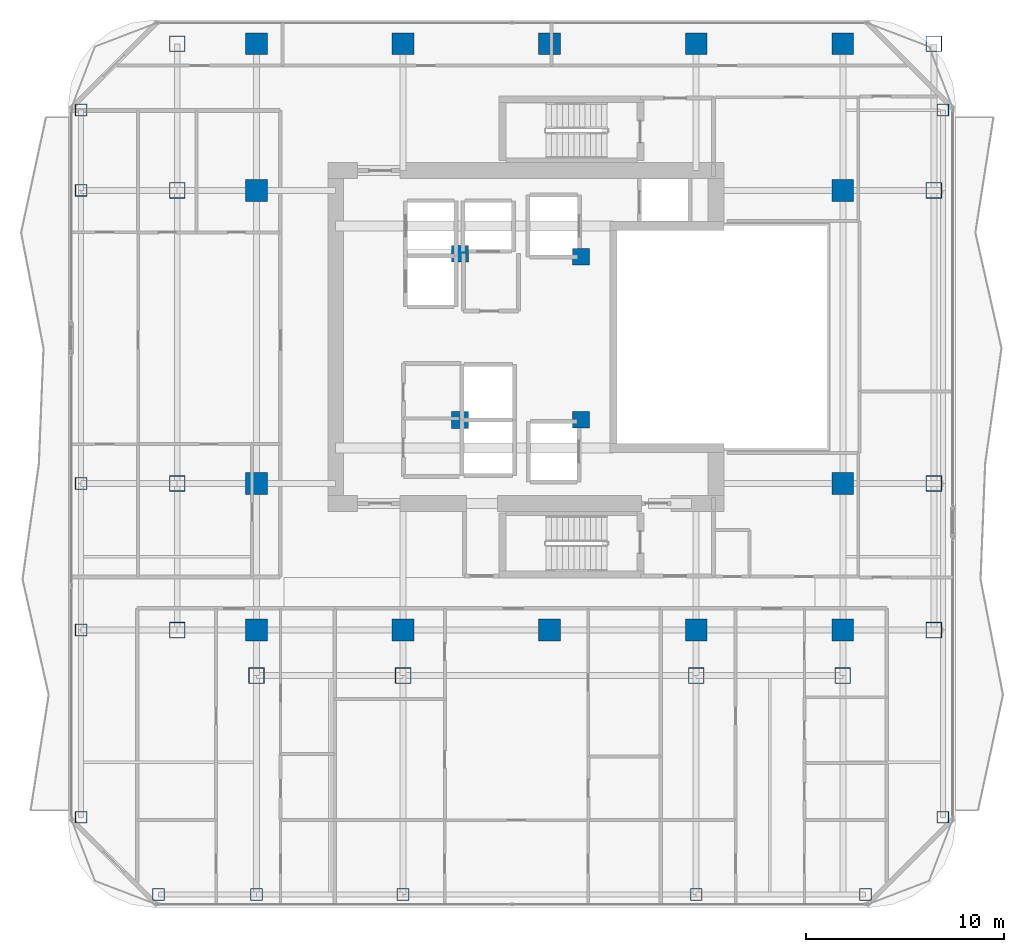
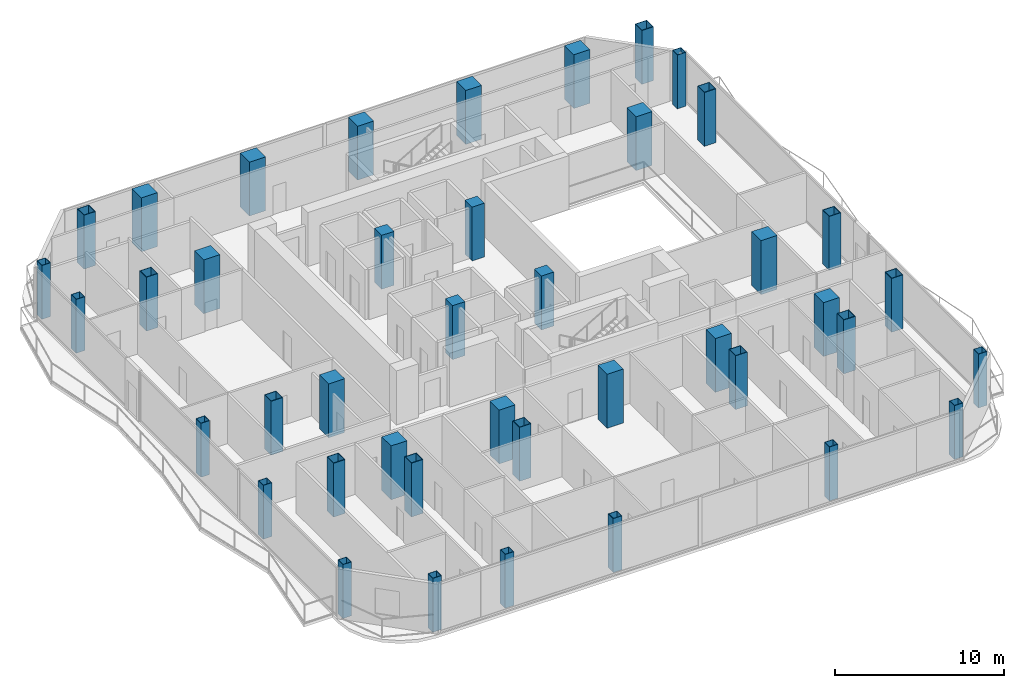
# One storey, part 1 of 23: 42 columns.
"""IFC4 building model written with IfcOpenShell, lengths in metres."""

from ifc_helpers import new_model, si_unit, direction, frame, origin, origin_2d, place, context, subcontext, project, spatial, rectangle, hollow_rectangle, extrude, material, material_profile, profile_set, type_object, element, save


model = new_model("IFC4")

# Units and contexts
model_context = context("Model", 3, precision=1e-05, world=origin(), true_north=direction((0.0, 1.0)))
body_context = subcontext(model_context, "Body", "Model", "MODEL_VIEW")
ifc_project = project(units=[si_unit("LENGTHUNIT", "METRE"), si_unit("AREAUNIT", "SQUARE_METRE"), si_unit("VOLUMEUNIT", "CUBIC_METRE"), si_unit("PLANEANGLEUNIT", "RADIAN"), si_unit("MASSUNIT", "GRAM", prefix="KILO")], contexts=[model_context])

# Site, building, storey
site_placement = place(None, origin())
site = spatial("IfcSite", under=ifc_project, at=site_placement, CompositionType="ELEMENT")
building_placement = place(site_placement, origin())
building = spatial("IfcBuilding", under=site, at=building_placement, Name="Khorvyn Point Tower", CompositionType="ELEMENT")
storey_placement = place(building_placement, frame((0.0, 0.0, 207.0)))
storey = spatial("IfcBuildingStorey", under=building, at=storey_placement, Name="L51", CompositionType="ELEMENT", Elevation=207.0)

# Columns
ifc_material_1 = material(Name="Concrete C40/50", Category="concrete")
ifc_material_profile_1 = material_profile(ifc_material_1, rectangle(XDim=0.85009765625, YDim=0.85009765625, at=origin_2d()))
ifc_profile_set_1 = profile_set([ifc_material_profile_1], Name="Concrete C40/50 RC850x850")
column_type_1 = type_object("IfcColumnType", Name="Concrete C40/50 Column RC850x850", PredefinedType="COLUMN", material=ifc_profile_set_1)
for number, where, z_axis, x_axis, name in (
    (1, (-4.52001953125, -4.199951171875, 0.0), (0.0, 0.0, 1.0), (1.0, 0.0, 0.0), "L51 Crown Core Spine Column 1"),
    (2, (1.580078125, -4.179931640625, 0.0), (0.0, 0.0, 1.0), (1.0, 0.0, 0.0), "L51 Crown Core Spine Column 2"),
    (3, (1.580078125, 4.050048828125, 0.0), (0.0, 0.0, 1.0), (1.0, 0.0, 0.0), "L51 Crown Core Spine Column 3"),
    (4, (-4.52001953125, 4.199951171875, 0.0), (0.0, 0.0, 1.0), (1.0, 0.0, 0.0), "L51 Crown Core Spine Column 4"),
):
    element("IfcColumn", number, at=place(storey_placement, frame(where, z_axis=z_axis, x_axis=x_axis)), inside=storey, type_object=column_type_1, Name=name, PredefinedType="COLUMN", context=body_context, shape_type="SweptSolid", body=[
        extrude(rectangle(XDim=0.85009765625, YDim=0.85009765625, at=origin_2d()), origin(), (0.0, 0.0, 1.0), 3.89990234375),
    ])
ifc_material_2 = material(Name="Concrete C45/55", Category="concrete")
ifc_material_profile_2 = material_profile(ifc_material_2, rectangle(XDim=1.10009765625, YDim=1.10009765625, at=origin_2d()))
ifc_profile_set_2 = profile_set([ifc_material_profile_2], Name="Concrete C45/55 RC1100x1100")
column_type_2 = type_object("IfcColumnType", Name="Concrete C45/55 Column RC1100x1100", PredefinedType="COLUMN", material=ifc_profile_set_2)
for number, where, z_axis, x_axis, name in (
    (5, (-14.800048828125, -14.800048828125, 0.0), (0.0, 0.0, 1.0), (1.0, 0.0, 0.0), "L51 Mega-Column MC-01"),
    (6, (-7.39990234375, -14.800048828125, 0.0), (0.0, 0.0, 1.0), (1.0, 0.0, 0.0), "L51 Mega-Column MC-02"),
    (7, (0.0, -14.800048828125, 0.0), (0.0, 0.0, 1.0), (1.0, 0.0, 0.0), "L51 Mega-Column MC-03"),
    (8, (7.39990234375, -14.800048828125, 0.0), (0.0, 0.0, 1.0), (1.0, 0.0, 0.0), "L51 Mega-Column MC-04"),
    (9, (14.800048828125, -14.800048828125, 0.0), (0.0, 0.0, 1.0), (1.0, 0.0, 0.0), "L51 Mega-Column MC-05"),
    (10, (-14.800048828125, 14.800048828125, 0.0), (0.0, 0.0, 1.0), (1.0, 0.0, 0.0), "L51 Mega-Column MC-06"),
    (11, (-7.39990234375, 14.800048828125, 0.0), (0.0, 0.0, 1.0), (1.0, 0.0, 0.0), "L51 Mega-Column MC-07"),
    (12, (0.0, 14.800048828125, 0.0), (0.0, 0.0, 1.0), (1.0, 0.0, 0.0), "L51 Mega-Column MC-08"),
    (13, (7.39990234375, 14.800048828125, 0.0), (0.0, 0.0, 1.0), (1.0, 0.0, 0.0), "L51 Mega-Column MC-09"),
    (14, (14.800048828125, 14.800048828125, 0.0), (0.0, 0.0, 1.0), (1.0, 0.0, 0.0), "L51 Mega-Column MC-10"),
    (15, (-14.800048828125, -7.39990234375, 0.0), (0.0, 0.0, 1.0), (1.0, 0.0, 0.0), "L51 Mega-Column MC-11"),
    (16, (-14.800048828125, 7.39990234375, 0.0), (0.0, 0.0, 1.0), (1.0, 0.0, 0.0), "L51 Mega-Column MC-12"),
    (17, (14.800048828125, -7.39990234375, 0.0), (0.0, 0.0, 1.0), (1.0, 0.0, 0.0), "L51 Mega-Column MC-13"),
    (18, (14.800048828125, 7.39990234375, 0.0), (0.0, 0.0, 1.0), (1.0, 0.0, 0.0), "L51 Mega-Column MC-14"),
):
    element("IfcColumn", number, at=place(storey_placement, frame(where, z_axis=z_axis, x_axis=x_axis)), inside=storey, type_object=column_type_2, Name=name, PredefinedType="COLUMN", context=body_context, shape_type="SweptSolid", body=[
        extrude(rectangle(XDim=1.10009765625, YDim=1.10009765625, at=origin_2d()), origin(), (0.0, 0.0, 1.0), 3.89990234375),
    ])
ifc_material_3 = material(Name="Steel S450", Category="steel")
ifc_material_profile_3 = material_profile(ifc_material_3, hollow_rectangle(XDim=0.60009765625, YDim=0.60009765625, WallThickness=0.028076171875, at=origin_2d()))
ifc_profile_set_3 = profile_set([ifc_material_profile_3], Name="Steel S450 BOX600x600x28")
column_type_3 = type_object("IfcColumnType", Name="Steel S450 Structural Column BOX600x600x28", PredefinedType="COLUMN", material=ifc_profile_set_3)
for number, where, z_axis, x_axis, name in (
    (19, (-19.75, -28.14990234375, 0.0), (0.0, 0.0, 1.0), (1.0, 0.0, 0.0), "L51 Perimeter Tube Column TC-01"),
    (20, (15.949951171875, -28.14990234375, 0.0), (0.0, 0.0, 1.0), (1.0, 0.0, 0.0), "L51 Perimeter Tube Column TC-02"),
    (21, (-23.64990234375, -24.25, 0.0), (0.0, 0.0, 1.0), (1.0, 0.0, 0.0), "L51 Perimeter Tube Column TC-03"),
    (22, (-23.64990234375, 11.449951171875, 0.0), (0.0, 0.0, 1.0), (1.0, 0.0, 0.0), "L51 Perimeter Tube Column TC-04"),
    (23, (19.85009765625, -24.25, 0.0), (0.0, 0.0, 1.0), (1.0, 0.0, 0.0), "L51 Perimeter Tube Column TC-05"),
    (24, (19.85009765625, 11.449951171875, 0.0), (0.0, 0.0, 1.0), (1.0, 0.0, 0.0), "L51 Perimeter Tube Column TC-06"),
    (25, (-14.800048828125, -28.14990234375, 0.0), (0.0, 0.0, 1.0), (1.0, 0.0, 0.0), "L51 Perimeter Tube Column TC-07"),
    (26, (-7.39990234375, -28.14990234375, 0.0), (0.0, 0.0, 1.0), (1.0, 0.0, 0.0), "L51 Perimeter Tube Column TC-08"),
    (27, (7.39990234375, -28.14990234375, 0.0), (0.0, 0.0, 1.0), (1.0, 0.0, 0.0), "L51 Perimeter Tube Column TC-09"),
    (28, (-23.64990234375, -14.800048828125, 0.0), (0.0, 0.0, 1.0), (1.0, 0.0, 0.0), "L51 Perimeter Tube Column TC-10"),
    (29, (-23.64990234375, -7.39990234375, 0.0), (0.0, 0.0, 1.0), (1.0, 0.0, 0.0), "L51 Perimeter Tube Column TC-11"),
    (30, (-23.64990234375, 7.39990234375, 0.0), (0.0, 0.0, 1.0), (1.0, 0.0, 0.0), "L51 Perimeter Tube Column TC-12"),
):
    element("IfcColumn", number, at=place(storey_placement, frame(where, z_axis=z_axis, x_axis=x_axis)), inside=storey, type_object=column_type_3, Name=name, PredefinedType="COLUMN", context=body_context, shape_type="SweptSolid", body=[
        extrude(hollow_rectangle(XDim=0.60009765625, YDim=0.60009765625, WallThickness=0.028076171875, at=origin_2d()), origin(), (0.0, 0.0, 1.0), 3.89990234375),
    ])
ifc_material_profile_4 = material_profile(ifc_material_3, hollow_rectangle(XDim=0.800048828125, YDim=0.800048828125, WallThickness=0.035888671875, at=origin_2d()))
ifc_profile_set_4 = profile_set([ifc_material_profile_4], Name="Steel S450 BOX800x800x36")
column_type_4 = type_object("IfcColumnType", Name="Steel S450 Structural Column BOX800x800x36", PredefinedType="COLUMN", material=ifc_profile_set_4)
for number, where, z_axis, x_axis, name in (
    (31, (-18.800048828125, -14.800048828125, 0.0), (0.0, 0.0, 1.0), (1.0, 0.0, 0.0), "L51 Intermediate Column ICW--14"),
    (32, (-18.800048828125, -7.39990234375, 0.0), (0.0, 0.0, 1.0), (1.0, 0.0, 0.0), "L51 Intermediate Column ICW--7"),
    (33, (-18.800048828125, 7.39990234375, 0.0), (0.0, 0.0, 1.0), (1.0, 0.0, 0.0), "L51 Intermediate Column ICW-7"),
    (34, (-18.800048828125, 14.800048828125, 0.0), (0.0, 0.0, 1.0), (1.0, 0.0, 0.0), "L51 Intermediate Column ICW-14"),
    (35, (19.39990234375, -14.800048828125, 0.0), (0.0, 0.0, 1.0), (1.0, 0.0, 0.0), "L51 Intermediate Column ICE--14"),
    (36, (19.39990234375, -7.39990234375, 0.0), (0.0, 0.0, 1.0), (1.0, 0.0, 0.0), "L51 Intermediate Column ICE--7"),
    (37, (19.39990234375, 7.39990234375, 0.0), (0.0, 0.0, 1.0), (1.0, 0.0, 0.0), "L51 Intermediate Column ICE-7"),
    (38, (19.39990234375, 14.800048828125, 0.0), (0.0, 0.0, 1.0), (1.0, 0.0, 0.0), "L51 Intermediate Column ICE-14"),
    (39, (-14.800048828125, -17.10009765625, 0.0), (0.0, 0.0, 1.0), (1.0, 0.0, 0.0), "L51 Intermediate Column ICS--14"),
    (40, (-7.39990234375, -17.10009765625, 0.0), (0.0, 0.0, 1.0), (1.0, 0.0, 0.0), "L51 Intermediate Column ICS--7"),
    (41, (7.39990234375, -17.10009765625, 0.0), (0.0, 0.0, 1.0), (1.0, 0.0, 0.0), "L51 Intermediate Column ICS-7"),
    (42, (14.800048828125, -17.10009765625, 0.0), (0.0, 0.0, 1.0), (1.0, 0.0, 0.0), "L51 Intermediate Column ICS-14"),
):
    element("IfcColumn", number, at=place(storey_placement, frame(where, z_axis=z_axis, x_axis=x_axis)), inside=storey, type_object=column_type_4, Name=name, PredefinedType="COLUMN", context=body_context, shape_type="SweptSolid", body=[
        extrude(hollow_rectangle(XDim=0.800048828125, YDim=0.800048828125, WallThickness=0.035888671875, at=origin_2d()), origin(), (0.0, 0.0, 1.0), 3.89990234375),
    ])

save(model, "model.ifc")
